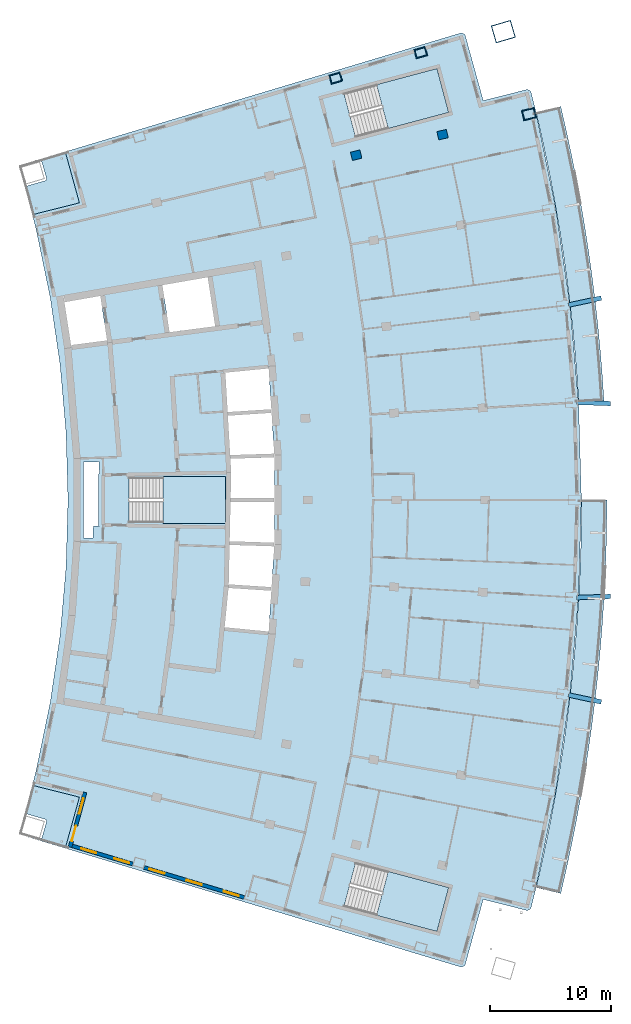
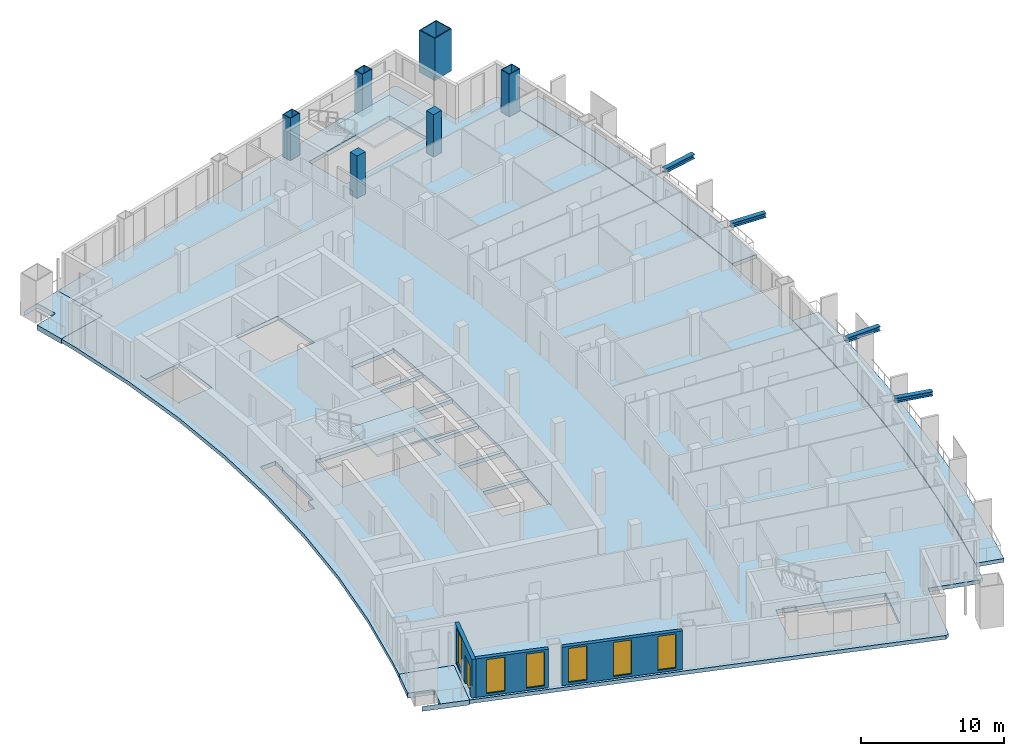
# One storey, part 8 of 17: 8 slabs, 6 columns, 6 windows, 4 members, 3 walls, 1 door, 7 openings, 3 elements without a shape of their own.
"""IFC4 building model written with IfcOpenShell, lengths in metres."""

from ifc_helpers import new_model, si_unit, direction, frame, frame_2d, origin, origin_2d, place, context, subcontext, project, spatial, polyline, rectangle, hollow_rectangle, i_section, outline, extrude, material, layer, layer_set, material_profile, profile_set, type_object, element, fill, aggregate, save


model = new_model("IFC4")

# Units and contexts
model_context = context("Model", 3, precision=1e-05, world=origin(), true_north=direction((0.0, 1.0)))
body_context = subcontext(model_context, "Body", "Model", "MODEL_VIEW")
ifc_project = project(units=[si_unit("LENGTHUNIT", "METRE"), si_unit("AREAUNIT", "SQUARE_METRE"), si_unit("VOLUMEUNIT", "CUBIC_METRE"), si_unit("PLANEANGLEUNIT", "RADIAN"), si_unit("MASSUNIT", "GRAM", prefix="KILO")], contexts=[model_context])

# Site, building, storey
site_placement = place(None, origin())
site = spatial("IfcSite", under=ifc_project, at=site_placement, CompositionType="ELEMENT")
building_placement = place(site_placement, origin())
building = spatial("IfcBuilding", under=site, at=building_placement, Name="Alderwake Tower", CompositionType="ELEMENT")
storey_placement = place(building_placement, frame((0.0, 0.0, 214.39990234375)))
storey = spatial("IfcBuildingStorey", under=building, at=storey_placement, Name="L53", CompositionType="ELEMENT", Elevation=214.39990234375)

# Columns
ifc_material_1 = material(Name="Steel ASTM A572 Grade 50 concrete filled C70/85", Category="concrete")
ifc_material_profile_1 = material_profile(ifc_material_1, hollow_rectangle(XDim=0.75, YDim=0.949951171875, WallThickness=0.054931640625, at=origin_2d()), Name="BOX 950X750X55")
ifc_profile_set_1 = profile_set([ifc_material_profile_1], Name="Steel ASTM A572 Grade 50 concrete filled C70/85")
column_type_1 = type_object("IfcColumnType", Name="End column Z4", PredefinedType="COLUMN", material=ifc_profile_set_1)
for number, where, z_axis, x_axis, name in (
    (1, (38.10400390625, 95.831787109375, 0.0), (0.0, 0.0, 1.0), (-0.28287886882, 0.959155641997, 0.0), "Column R12-C3"),
    (2, (45.127685546875, 97.9404296875, 0.0), (0.0, 0.0, 1.0), (-0.283141682853, 0.959078092457, 0.0), "Column R12-C4"),
):
    element("IfcColumn", number, at=place(storey_placement, frame(where, z_axis=z_axis, x_axis=x_axis)), inside=storey, type_object=column_type_1, Name=name, PredefinedType="COLUMN", context=body_context, shape_type="SweptSolid", body=[
        extrude(hollow_rectangle(XDim=0.75, YDim=0.949951171875, WallThickness=0.054931640625, at=origin_2d()), origin(), (0.0, 0.0, 1.0), 3.60009765625),
    ])
ifc_material_2 = material(Name="Concrete C70/85", Category="concrete")
ifc_material_profile_2 = material_profile(ifc_material_2, rectangle(XDim=0.699951171875, YDim=0.800048828125, at=origin_2d()), Name="RC 800X700")
ifc_profile_set_2 = profile_set([ifc_material_profile_2], Name="Concrete C70/85")
column_type_2 = type_object("IfcColumnType", Name="Interior column Z4", PredefinedType="COLUMN", material=ifc_profile_set_2)
for number, where, z_axis, x_axis, name in (
    (3, (39.79638671875, 89.47119140625, 0.0), (0.0, 0.0, 1.0), (-0.231221547198, 0.972901123502, 0.0), "Column R11-C3"),
    (4, (46.93115234375, 91.166748046875, 0.0), (0.0, 0.0, 1.0), (-0.231221547198, 0.972901123502, 0.0), "Column R11-C4"),
):
    element("IfcColumn", number, at=place(storey_placement, frame(where, z_axis=z_axis, x_axis=x_axis)), inside=storey, type_object=column_type_2, Name=name, PredefinedType="COLUMN", context=body_context, shape_type="SweptSolid", body=[
        extrude(rectangle(XDim=0.699951171875, YDim=0.800048828125, at=origin_2d()), origin(), (0.0, 0.0, 1.0), 3.60009765625),
    ])
ifc_material_3 = material(Name="Steel ASTM A572 Grade 50 concrete filled C70/85", Category="concrete")
ifc_material_profile_3 = material_profile(ifc_material_3, hollow_rectangle(XDim=1.5, YDim=1.699951171875, WallThickness=0.074951171875, at=origin_2d()), Name="BOX 1700X1500X75")
ifc_profile_set_3 = profile_set([ifc_material_profile_3], Name="Steel ASTM A572 Grade 50 concrete filled C70/85")
column_type_3 = type_object("IfcColumnType", Name="Mega column Z4", PredefinedType="COLUMN", material=ifc_profile_set_3)
column_1_placement = place(storey_placement, frame((51.9482421875, 99.677001953125, 0.0), z_axis=(0.0, 0.0, 1.0), x_axis=(-0.281288140428, 0.959623354267, 0.0)))
element("IfcColumn", 5, at=column_1_placement, inside=storey, type_object=column_type_3, Name="Column R12-C5", PredefinedType="COLUMN", context=body_context, shape_type="SweptSolid", body=[
    extrude(hollow_rectangle(XDim=1.5, YDim=1.699951171875, WallThickness=0.074951171875, at=origin_2d()), origin(), (0.0, 0.0, 1.0), 3.60009765625),
])
ifc_material_4 = material(Name="Steel ASTM A572 Grade 50 concrete filled C70/85", Category="concrete")
ifc_material_profile_4 = material_profile(ifc_material_4, hollow_rectangle(XDim=0.85009765625, YDim=1.050048828125, WallThickness=0.054931640625, at=origin_2d()), Name="BOX 1050X850X55")
ifc_profile_set_4 = profile_set([ifc_material_profile_4], Name="Steel ASTM A572 Grade 50 concrete filled C70/85")
column_type_4 = type_object("IfcColumnType", Name="Perimeter column Z4", PredefinedType="COLUMN", material=ifc_profile_set_4)
column_2_placement = place(storey_placement, frame((54.06591796875, 92.8623046875, 0.0), z_axis=(0.0, 0.0, 1.0), x_axis=(-0.231221547198, 0.972901123502, 0.0)))
element("IfcColumn", 6, at=column_2_placement, inside=storey, type_object=column_type_4, Name="Column R11-C5", PredefinedType="COLUMN", context=body_context, shape_type="SweptSolid", body=[
    extrude(hollow_rectangle(XDim=0.85009765625, YDim=1.050048828125, WallThickness=0.054931640625, at=origin_2d()), origin(), (0.0, 0.0, 1.0), 3.60009765625),
])

# Members
ifc_material_5 = material(Name="Steel ASTM A992 Grade 50", Category="steel")
ifc_material_profile_5 = material_profile(ifc_material_5, i_section(OverallWidth=0.3740234375, OverallDepth=0.372314453125, WebThickness=0.016357421875, FlangeThickness=0.026123046875, at=origin_2d()), Name="W14X132")
ifc_profile_set_5 = profile_set([ifc_material_profile_5], Name="Steel ASTM A992 Grade 50")
member_type = type_object("IfcMemberType", Name="Brace node stub W14X132", PredefinedType="MEMBER", material=ifc_profile_set_5)
member_1_placement = place(storey_placement, frame((57.334716796875, 44.90087890625, 3.393798828125), z_axis=(0.978053854556, -0.208352244019, 0.0), x_axis=(0.208352244019, 0.978053854556, 0.0)))
element("IfcMember", 7, at=member_1_placement, inside=storey, type_object=member_type, Name="Brace node stub BS.FR05-C5.2180", PredefinedType="MEMBER", context=body_context, shape_type="SweptSolid", body=[
    extrude(i_section(OverallWidth=0.3740234375, OverallDepth=0.372314453125, WebThickness=0.016357421875, FlangeThickness=0.026123046875, at=origin_2d()), origin(), (0.0, 0.0, 1.0), 2.762939453125),
])
for number, where, z_axis, x_axis, name in (
    (8, (58.0400390625, 52.942138671875, 3.393798828125), (0.999393870466, 0.034812234547, 0.0), (-0.034812234547, 0.999393870466, 0.0), "Brace node stub BS.FR06-C5.2180"),
    (9, (58.0400390625, 69.057861328125, 3.393798828125), (0.999393870466, -0.034812234547, 0.0), (0.034812234547, 0.999393870466, 0.0), "Brace node stub BS.FR08-C5.2180"),
):
    element("IfcMember", number, at=place(storey_placement, frame(where, z_axis=z_axis, x_axis=x_axis)), inside=storey, type_object=member_type, Name=name, PredefinedType="MEMBER", context=body_context, shape_type="SweptSolid", body=[
        extrude(i_section(OverallWidth=0.3740234375, OverallDepth=0.372314453125, WebThickness=0.016357421875, FlangeThickness=0.026123046875, at=origin_2d()), origin(), (0.0, 0.0, 1.0), 2.76318359375),
    ])
member_2_placement = place(storey_placement, frame((57.334716796875, 77.09912109375, 3.393798828125), z_axis=(0.978053854556, 0.208352244019, 0.0), x_axis=(-0.208352244019, 0.978053854556, 0.0)))
element("IfcMember", 10, at=member_2_placement, inside=storey, type_object=member_type, Name="Brace node stub BS.FR09-C5.2180", PredefinedType="MEMBER", context=body_context, shape_type="SweptSolid", body=[
    extrude(i_section(OverallWidth=0.3740234375, OverallDepth=0.372314453125, WebThickness=0.016357421875, FlangeThickness=0.026123046875, at=origin_2d()), origin(), (0.0, 0.0, 1.0), 2.762939453125),
])

# Slabs
ifc_material_6 = material(Name="Concrete C50/60", Category="concrete")
ifc_layer_1 = layer(ifc_material_6, 0.320068359375)
ifc_layer_set_1 = layer_set([ifc_layer_1], Name="Balcony slab 320")
slab_type_1 = type_object("IfcSlabType", Name="Balcony slab 320", PredefinedType="FLOOR", material=ifc_layer_set_1)
slab_1_placement = place(storey_placement, frame((0.0, 0.0, -0.31982421875)))
element("IfcSlab", 11, at=slab_1_placement, inside=storey, type_object=slab_type_1, Name="Balcony BF03", PredefinedType="FLOOR", context=body_context, shape_type="SweptSolid", body=[
    extrude(outline(polyline([(57.15185546875, 30.51025390625), (57.581787109375, 32.513427734375), (57.982666015625, 34.522705078125), (58.35400390625, 36.537841796875), (58.696044921875, 38.55810546875), (59.008544921875, 40.5830078125), (59.29150390625, 42.6123046875), (59.544921875, 44.6455078125), (59.7685546875, 46.68212890625), (59.96240234375, 48.721923828125), (60.126708984375, 50.764404296875), (60.260986328125, 52.808837890625), (60.365478515625, 54.85498046875), (60.440185546875, 56.902587890625), (60.485107421875, 58.951171875), (60.5, 61.0), (58.39990234375, 61.0), (58.38525390625, 58.981689453125), (58.341064453125, 56.9638671875), (58.267578125, 54.947021484375), (58.16455078125, 52.93115234375), (58.0322265625, 50.917236328125), (57.87060546875, 48.905517578125), (57.679443359375, 46.896240234375), (57.459228515625, 44.889892578125), (57.209716796875, 42.88720703125), (56.930908203125, 40.88818359375), (56.623046875, 38.893310546875), (56.2861328125, 36.9033203125), (55.92041015625, 34.918701171875), (55.525390625, 32.939208984375), (55.101806640625, 30.9658203125), (54.6494140625, 28.998779296875), (56.692626953125, 28.51318359375), (57.15185546875, 30.51025390625)])), origin(), (0.0, 0.0, 1.0), 0.31982421875),
])
slab_2_placement = place(storey_placement, frame((0.0, 0.0, -0.31982421875)))
element("IfcSlab", 12, at=slab_2_placement, inside=storey, type_object=slab_type_1, Name="Balcony BF08", PredefinedType="FLOOR", context=body_context, shape_type="SweptSolid", body=[
    extrude(outline(polyline([(59.96240234375, 73.278076171875), (59.7685546875, 75.31787109375), (59.544921875, 77.3544921875), (59.29150390625, 79.3876953125), (59.008544921875, 81.4169921875), (58.696044921875, 83.44189453125), (58.35400390625, 85.462158203125), (57.982666015625, 87.477294921875), (57.581787109375, 89.486572265625), (57.15185546875, 91.48974609375), (56.692626953125, 93.48681640625), (54.6494140625, 93.001220703125), (55.101806640625, 91.0341796875), (55.525390625, 89.060791015625), (55.92041015625, 87.081298828125), (56.2861328125, 85.0966796875), (56.623046875, 83.106689453125), (56.930908203125, 81.11181640625), (57.209716796875, 79.11279296875), (57.459228515625, 77.110107421875), (57.679443359375, 75.103759765625), (57.87060546875, 73.094482421875), (58.0322265625, 71.082763671875), (58.16455078125, 69.06884765625), (60.260986328125, 69.191162109375), (60.126708984375, 71.235595703125), (59.96240234375, 73.278076171875)])), origin(), (0.0, 0.0, 1.0), 0.31982421875),
])
ifc_material_7 = material(Name="Concrete C50/60", Category="concrete")
ifc_layer_2 = layer(ifc_material_7, 0.320068359375)
ifc_layer_set_2 = layer_set([ifc_layer_2], Name="Concrete C50/60 post-tensioned flat plate 320")
slab_type_2 = type_object("IfcSlabType", Name="Concrete C50/60 post-tensioned flat plate 320", PredefinedType="FLOOR", material=ifc_layer_set_2)
slab_3_placement = place(storey_placement, frame((0.0, 0.0, -0.31982421875)))
element("IfcSlab", 13, at=slab_3_placement, inside=storey, type_object=slab_type_2, Name="Floor slab L53", PredefinedType="FLOOR", context=body_context, shape_type="SweptSolid", body=[
    extrude(outline(polyline([(13.06494140625, 37.443115234375), (13.3984375, 38.802734375), (14.53369140625, 44.28564453125), (15.347412109375, 49.825439453125), (15.836669921875, 55.4033203125), (16.0, 61.0), (15.836669921875, 66.5966796875), (15.347412109375, 72.174560546875), (14.53369140625, 77.71435546875), (13.3984375, 83.197265625), (13.06494140625, 84.556884765625), (16.942626953125, 85.53857421875), (15.776611328125, 89.7548828125), (48.50341796875, 99.58056640625), (48.784912109375, 99.4248046875), (50.290771484375, 93.979736328125), (53.945556640625, 94.90478515625), (54.223388671875, 94.73779296875), (54.6494140625, 93.001220703125), (56.2861328125, 85.0966796875), (57.459228515625, 77.110107421875), (58.16455078125, 69.06884765625), (58.39990234375, 61.0), (58.16455078125, 52.93115234375), (57.459228515625, 44.889892578125), (56.2861328125, 36.9033203125), (54.6494140625, 28.998779296875), (54.223388671875, 27.26220703125), (53.945556640625, 27.09521484375), (50.290771484375, 28.020263671875), (48.784912109375, 22.5751953125), (48.50341796875, 22.41943359375), (15.776611328125, 32.2451171875), (16.942626953125, 36.46142578125), (13.06494140625, 37.443115234375)]), holes=[polyline([(29.2578125, 53.77197265625), (28.9365234375, 50.4912109375), (32.546875, 50.1376953125), (32.5322265625, 49.988525390625), (32.562255859375, 49.985595703125), (32.80126953125, 53.654541015625), (33.0400390625, 57.323486328125), (33.0400390625, 61.0), (33.0400390625, 64.676513671875), (32.80126953125, 68.345458984375), (32.562255859375, 72.014404296875), (32.532470703125, 72.011474609375), (32.547119140625, 71.8623046875), (28.886962890625, 71.50390625), (28.88720703125, 71.50048828125), (28.99462890625, 71.506591796875), (29.184814453125, 68.26025390625), (32.761474609375, 68.4931640625), (32.771240234375, 68.343505859375), (32.781005859375, 68.19384765625), (29.2021484375, 67.960693359375), (29.392578125, 64.7080078125), (33.005126953125, 64.82568359375), (33.010009765625, 64.67578125), (33.014892578125, 64.525634765625), (29.41015625, 64.408447265625), (29.4765625, 63.27685546875), (29.429443359375, 61.14990234375), (33.010009765625, 61.14990234375), (33.010009765625, 61.0), (33.010009765625, 60.85009765625), (29.4228515625, 60.85009765625), (29.350830078125, 57.593505859375), (33.014892578125, 57.474365234375), (33.010009765625, 57.32421875), (33.005126953125, 57.17431640625), (29.34423828125, 57.29345703125), (29.2705078125, 53.969482421875), (29.274169921875, 53.969482421875), (29.2783203125, 54.0341796875), (32.781005859375, 53.80615234375), (32.771240234375, 53.656494140625), (32.761474609375, 53.5068359375), (29.2587890625, 53.73486328125), (29.26123046875, 53.771728515625), (29.2578125, 53.77197265625)]), polyline([(21.050048828125, 62.875), (21.050048828125, 59.125), (29.0, 59.125), (29.0, 62.875), (21.050048828125, 62.875)]), polyline([(15.64111328125, 77.91015625), (15.487060546875, 77.8828125), (15.487548828125, 77.879150390625), (15.617919921875, 77.899169921875), (16.280029296875, 73.5927734375), (16.31005859375, 73.5966796875), (16.2841796875, 73.794921875), (19.224853515625, 74.1796875), (18.673095703125, 77.842041015625), (18.869140625, 77.87158203125), (18.8671875, 77.8837890625), (15.740234375, 77.340087890625), (15.64111328125, 77.91015625)]), polyline([(27.538330078125, 79.39111328125), (23.794921875, 78.740478515625), (24.384033203125, 74.8583984375), (24.36865234375, 74.856201171875), (24.369140625, 74.8525390625), (28.152587890625, 75.347412109375), (27.538330078125, 79.39111328125)]), polyline([(47.436279296875, 28.996826171875), (39.754150390625, 31.043212890625), (38.7890625, 27.41943359375), (46.47119140625, 25.373291015625), (47.436279296875, 28.996826171875)]), polyline([(46.47119140625, 96.626708984375), (38.7890625, 94.58056640625), (39.754150390625, 90.956787109375), (47.436279296875, 93.003173828125), (46.47119140625, 96.626708984375)]), polyline([(17.289306640625, 64.118408203125), (17.289306640625, 57.881591796875), (18.06298828125, 57.85400390625), (18.090576171875, 58.84375), (18.544189453125, 58.831298828125), (18.529296875, 58.8681640625), (18.5234375, 58.891845703125), (18.5185546875, 58.940673828125), (18.5185546875, 63.060302734375), (18.5234375, 63.109130859375), (18.53759765625, 63.156005859375), (18.560791015625, 63.19921875), (18.588623046875, 63.2333984375), (18.562744140625, 64.16357421875), (17.289306640625, 64.118408203125)])]), origin(), (0.0, 0.0, 1.0), 0.31982421875),
])

# Stair, slab
ifc_material_8 = material(Name="Concrete C40/50", Category="concrete")
stair_type = type_object("IfcStairType", Name="Core exit stair", PredefinedType="HALF_TURN_STAIR", material=ifc_material_8)
stair_1_placement = place(storey_placement, origin())
stair_1 = element("IfcStair", 14, at=stair_1_placement, inside=storey, type_object=stair_type, Name="L53 Exit Stair B", PredefinedType="HALF_TURN_STAIR")
ifc_material_9 = material(Name="Concrete C40/50", Category="concrete")
ifc_layer_3 = layer(ifc_material_9, 0.199951171875)
ifc_layer_set_3 = layer_set([ifc_layer_3], Name="Core stair landing 200")
slab_type_3 = type_object("IfcSlabType", Name="Core stair landing 200", PredefinedType="LANDING", material=ifc_layer_set_3)
slab_4_placement = place(storey_placement, frame((0.0, 0.0, 1.60009765625)))
slab_4 = element("IfcSlab", 15, at=slab_4_placement, type_object=slab_type_3, Name="ST-B landing 1", PredefinedType="LANDING", context=body_context, shape_type="SweptSolid", body=[
    extrude(outline(polyline([(23.830078125, 59.074951171875), (29.0, 59.074951171875), (29.0, 62.925048828125), (23.830078125, 62.925048828125), (23.830078125, 59.074951171875)])), origin(), (0.0, 0.0, 1.0), 0.199951171875),
])
aggregate(stair_1, [slab_4])

stair_2_placement = place(storey_placement, origin())
stair_2 = element("IfcStair", 16, at=stair_2_placement, inside=storey, type_object=stair_type, Name="L53 Exit Stair A", PredefinedType="HALF_TURN_STAIR")
slab_5_placement = place(storey_placement, frame((0.0, 0.0, 1.60009765625)))
slab_5 = element("IfcSlab", 17, at=slab_5_placement, type_object=slab_type_3, Name="ST-A landing 1", PredefinedType="LANDING", context=body_context, shape_type="SweptSolid", body=[
    extrude(outline(polyline([(42.440673828125, 91.67236328125), (47.436279296875, 93.003173828125), (46.47119140625, 96.626708984375), (41.475341796875, 95.296142578125), (42.440673828125, 91.67236328125)])), origin(), (0.0, 0.0, 1.0), 0.199951171875),
])
aggregate(stair_2, [slab_5])

stair_3_placement = place(storey_placement, origin())
stair_3 = element("IfcStair", 18, at=stair_3_placement, inside=storey, type_object=stair_type, Name="L53 Exit Stair C", PredefinedType="HALF_TURN_STAIR")
slab_6_placement = place(storey_placement, frame((0.0, 0.0, 1.60009765625)))
slab_6 = element("IfcSlab", 19, at=slab_6_placement, type_object=slab_type_3, Name="ST-C landing 1", PredefinedType="LANDING", context=body_context, shape_type="SweptSolid", body=[
    extrude(outline(polyline([(41.475341796875, 26.703857421875), (46.47119140625, 25.373291015625), (47.436279296875, 28.996826171875), (42.4404296875, 30.32763671875), (41.475341796875, 26.703857421875)])), origin(), (0.0, 0.0, 1.0), 0.199951171875),
])
aggregate(stair_3, [slab_6])

# Slabs
ifc_material_10 = material(Name="Concrete C50/60", Category="concrete")
ifc_layer_4 = layer(ifc_material_10, 0.419921875)
ifc_layer_set_4 = layer_set([ifc_layer_4], Name="Terrace slab 420")
slab_type_4 = type_object("IfcSlabType", Name="Terrace slab 420", PredefinedType="FLOOR", material=ifc_layer_set_4)
slab_7_placement = place(storey_placement, frame((0.0, 0.0, -0.419921875)))
element("IfcSlab", 20, at=slab_7_placement, inside=storey, type_object=slab_type_4, Name="Corner terrace RS", PredefinedType="FLOOR", context=body_context, shape_type="SweptSolid", body=[
    extrude(outline(polyline([(15.776611328125, 32.2451171875), (12.517333984375, 33.2236328125), (13.628662109375, 32.901123046875), (13.64306640625, 32.897705078125), (13.65771484375, 32.895751953125), (13.67236328125, 32.895263671875), (13.68701171875, 32.896240234375), (13.701416015625, 32.8984375), (13.7158203125, 32.90234375), (13.7294921875, 32.907470703125), (13.742919921875, 32.913818359375), (13.75537109375, 32.921630859375), (13.76708984375, 32.930419921875), (13.77783203125, 32.9404296875), (13.78759765625, 32.951416015625), (13.796142578125, 32.96337890625), (13.8037109375, 32.976318359375), (13.809814453125, 32.989501953125), (13.814453125, 33.00341796875), (14.232421875, 34.444091796875), (14.23583984375, 34.45849609375), (14.23779296875, 34.472900390625), (14.23828125, 34.48779296875), (14.237548828125, 34.50244140625), (14.235107421875, 34.516845703125), (14.2314453125, 34.53125), (14.226318359375, 34.544921875), (14.2197265625, 34.55810546875), (14.212158203125, 34.57080078125), (14.203125, 34.58251953125), (14.193115234375, 34.59326171875), (14.18212890625, 34.60302734375), (14.170166015625, 34.611572265625), (14.157470703125, 34.618896484375), (14.14404296875, 34.625244140625), (14.130126953125, 34.6298828125), (12.49755859375, 35.103515625), (12.483154296875, 35.10693359375), (12.468505859375, 35.10888671875), (12.453857421875, 35.109619140625), (12.4404296875, 35.108642578125), (12.71142578125, 36.08837890625), (13.06494140625, 37.443115234375), (16.942626953125, 36.46142578125), (15.776611328125, 32.2451171875)])), origin(), (0.0, 0.0, 1.0), 0.419921875),
])
slab_8_placement = place(storey_placement, frame((0.0, 0.0, -0.419921875)))
element("IfcSlab", 21, at=slab_8_placement, inside=storey, type_object=slab_type_4, Name="Corner terrace RN", PredefinedType="FLOOR", context=body_context, shape_type="SweptSolid", body=[
    extrude(outline(polyline([(12.4404296875, 86.891357421875), (12.453857421875, 86.890380859375), (12.468505859375, 86.89111328125), (12.483154296875, 86.89306640625), (12.49755859375, 86.896484375), (14.130126953125, 87.3701171875), (14.14404296875, 87.374755859375), (14.157470703125, 87.381103515625), (14.170166015625, 87.388427734375), (14.18212890625, 87.39697265625), (14.193115234375, 87.40673828125), (14.203125, 87.41748046875), (14.212158203125, 87.42919921875), (14.2197265625, 87.44189453125), (14.226318359375, 87.455078125), (14.2314453125, 87.46875), (14.235107421875, 87.483154296875), (14.237548828125, 87.49755859375), (14.23828125, 87.51220703125), (14.23779296875, 87.527099609375), (14.23583984375, 87.54150390625), (14.232421875, 87.555908203125), (13.814453125, 88.99658203125), (13.809814453125, 89.010498046875), (13.8037109375, 89.023681640625), (13.796142578125, 89.03662109375), (13.78759765625, 89.048583984375), (13.77783203125, 89.0595703125), (13.76708984375, 89.069580078125), (13.75537109375, 89.078369140625), (13.742919921875, 89.086181640625), (13.7294921875, 89.092529296875), (13.7158203125, 89.09765625), (13.701416015625, 89.1015625), (13.68701171875, 89.103759765625), (13.67236328125, 89.104736328125), (13.65771484375, 89.104248046875), (13.64306640625, 89.102294921875), (13.628662109375, 89.098876953125), (12.517333984375, 88.7763671875), (15.776611328125, 89.7548828125), (16.942626953125, 85.53857421875), (13.06494140625, 84.556884765625), (12.71142578125, 85.91162109375), (12.4404296875, 86.891357421875)])), origin(), (0.0, 0.0, 1.0), 0.419921875),
])

# Wall, openings, door, window
ifc_material_11 = material(Name="Bronze metal cladding on lightweight framing")
ifc_layer_5 = layer(ifc_material_11, 0.300048828125)
ifc_layer_set_5 = layer_set([ifc_layer_5], Name="External wall EW2 bronze metal cladding")
wall_type = type_object("IfcWallType", Name="External wall EW2 bronze metal cladding", PredefinedType="SOLIDWALL", material=ifc_layer_set_5)
wall_1_placement = place(storey_placement, frame((17.410400390625, 36.85888671875, 0.0), z_axis=(0.0, 0.0, 1.0), x_axis=(-0.264592640785, -0.96436027212, 0.0)))
wall_1 = element("IfcWall", 22, at=wall_1_placement, inside=storey, type_object=wall_type, Name="External wall 3", PredefinedType="SOLIDWALL", context=body_context, shape_type="SweptSolid", body=[
    extrude(rectangle(XDim=4.690185546875, YDim=0.300048828125, at=frame_2d((2.34521484375, 0.0))), origin(), (0.0, 0.0, 1.0), 3.280029296875),
])
opening_1_placement = place(wall_1_placement, frame((0.5224609375, 0.0, 0.199951171875)))
opening_1 = element("IfcOpeningElement", 23, at=opening_1_placement, cuts=wall_1, Name="Opening W1", PredefinedType="OPENING", context=body_context, shape_type="SweptSolid", body=[
    extrude(rectangle(XDim=1.300048828125, YDim=2.89990234375, at=frame_2d((0.64990234375, 1.449951171875))), frame((0.0, 0.159912109375, 0.0), z_axis=(0.0, -1.0, 0.0), x_axis=(1.0, 0.0, 0.0)), (0.0, 0.0, 1.0), 0.320068359375),
])
opening_2_placement = place(wall_1_placement, frame((2.867431640625, 0.0, 0.0)))
opening_2 = element("IfcOpeningElement", 24, at=opening_2_placement, cuts=wall_1, Name="Opening D01", PredefinedType="OPENING", context=body_context, shape_type="SweptSolid", body=[
    extrude(rectangle(XDim=1.300048828125, YDim=2.39990234375, at=frame_2d((0.64990234375, 1.199951171875))), frame((0.0, 0.159912109375, 0.0), z_axis=(0.0, -1.0, 0.0), x_axis=(1.0, 0.0, 0.0)), (0.0, 0.0, 1.0), 0.320068359375),
])
ifc_material_12 = material(Name="Bronze tinted glass in aluminium frame", Category="aluminium")
door_type = type_object("IfcDoorType", Name="Balcony door BD sliding", OperationType="SLIDING_TO_LEFT", PredefinedType="DOOR", material=ifc_material_12)
door_placement = place(opening_2_placement, origin())
door = element("IfcDoor", 25, at=door_placement, inside=storey, type_object=door_type, Name="Door D01", OperationType="SLIDING_TO_LEFT", OverallHeight=2.39990234375, OverallWidth=1.300048828125, PredefinedType="DOOR", context=body_context, shape_type="SweptSolid", body=[
    extrude(rectangle(XDim=1.300048828125, YDim=2.39990234375, at=frame_2d((0.64990234375, 1.199951171875))), frame((0.0, 0.02490234375, 0.0), z_axis=(0.0, -1.0, 0.0), x_axis=(1.0, 0.0, 0.0)), (0.0, 0.0, 1.0), 0.050048828125),
])
fill(opening_2, door)
ifc_material_13 = material(Name="Bronze tinted glass in aluminium frame", Category="aluminium")
window_type = type_object("IfcWindowType", Name="Window W1 tall fixed and vent", PartitioningType="DOUBLE_PANEL_VERTICAL", PredefinedType="WINDOW", material=ifc_material_13)
window_1_placement = place(opening_1_placement, origin())
window_1 = element("IfcWindow", 26, at=window_1_placement, inside=storey, type_object=window_type, Name="Window W1 tall fixed and vent", OverallHeight=2.89990234375, OverallWidth=1.300048828125, PartitioningType="DOUBLE_PANEL_VERTICAL", PredefinedType="WINDOW", context=body_context, shape_type="SweptSolid", body=[
    extrude(rectangle(XDim=1.300048828125, YDim=2.89990234375, at=frame_2d((0.64990234375, 1.449951171875))), frame((0.0, 0.030029296875, 0.0), z_axis=(0.0, -1.0, 0.0), x_axis=(1.0, 0.0, 0.0)), (0.0, 0.0, 1.0), 0.06005859375),
])
fill(opening_1, window_1)

# Wall, openings, windows
wall_2_placement = place(storey_placement, frame((16.352783203125, 32.4375, 0.0), z_axis=(0.0, 0.0, 1.0), x_axis=(0.95777225046, -0.287527939944, 0.0)))
wall_2 = element("IfcWall", 27, at=wall_2_placement, inside=storey, type_object=wall_type, Name="External wall 4", PredefinedType="SOLIDWALL", context=body_context, shape_type="SweptSolid", body=[
    extrude(rectangle(XDim=5.224609375, YDim=0.300048828125, at=frame_2d((2.6123046875, 0.0))), origin(), (0.0, 0.0, 1.0), 3.280029296875),
])
opening_3_placement = place(wall_2_placement, frame((0.775390625, 0.0, 0.199951171875)))
opening_3 = element("IfcOpeningElement", 28, at=opening_3_placement, cuts=wall_2, Name="Opening W1", PredefinedType="OPENING", context=body_context, shape_type="SweptSolid", body=[
    extrude(rectangle(XDim=1.300048828125, YDim=2.89990234375, at=frame_2d((0.64990234375, 1.449951171875))), frame((0.0, 0.159912109375, 0.0), z_axis=(0.0, -1.0, 0.0), x_axis=(1.0, 0.0, 0.0)), (0.0, 0.0, 1.0), 0.320068359375),
])
opening_4_placement = place(wall_2_placement, frame((3.626220703125, 0.0, 0.199951171875)))
opening_4 = element("IfcOpeningElement", 29, at=opening_4_placement, cuts=wall_2, Name="Opening W1", PredefinedType="OPENING", context=body_context, shape_type="SweptSolid", body=[
    extrude(rectangle(XDim=1.300048828125, YDim=2.89990234375, at=frame_2d((0.64990234375, 1.449951171875))), frame((0.0, 0.159912109375, 0.0), z_axis=(0.0, -1.0, 0.0), x_axis=(1.0, 0.0, 0.0)), (0.0, 0.0, 1.0), 0.320068359375),
])
window_2_placement = place(opening_3_placement, origin())
window_2 = element("IfcWindow", 30, at=window_2_placement, inside=storey, type_object=window_type, Name="Window W1 tall fixed and vent", OverallHeight=2.89990234375, OverallWidth=1.300048828125, PartitioningType="DOUBLE_PANEL_VERTICAL", PredefinedType="WINDOW", context=body_context, shape_type="SweptSolid", body=[
    extrude(rectangle(XDim=1.300048828125, YDim=2.89990234375, at=frame_2d((0.64990234375, 1.449951171875))), frame((0.0, 0.030029296875, 0.0), z_axis=(0.0, -1.0, 0.0), x_axis=(1.0, 0.0, 0.0)), (0.0, 0.0, 1.0), 0.06005859375),
])
fill(opening_3, window_2)
window_3_placement = place(opening_4_placement, origin())
window_3 = element("IfcWindow", 31, at=window_3_placement, inside=storey, type_object=window_type, Name="Window W1 tall fixed and vent", OverallHeight=2.89990234375, OverallWidth=1.300048828125, PartitioningType="DOUBLE_PANEL_VERTICAL", PredefinedType="WINDOW", context=body_context, shape_type="SweptSolid", body=[
    extrude(rectangle(XDim=1.300048828125, YDim=2.89990234375, at=frame_2d((0.64990234375, 1.449951171875))), frame((0.0, 0.030029296875, 0.0), z_axis=(0.0, -1.0, 0.0), x_axis=(1.0, 0.0, 0.0)), (0.0, 0.0, 1.0), 0.06005859375),
])
fill(opening_4, window_3)

wall_3_placement = place(storey_placement, frame((22.270751953125, 30.660888671875, 0.0), z_axis=(0.0, 0.0, 1.0), x_axis=(0.957767198916, -0.287544766394, 0.0)))
wall_3 = element("IfcWall", 32, at=wall_3_placement, inside=storey, type_object=wall_type, Name="External wall 5", PredefinedType="SOLIDWALL", context=body_context, shape_type="SweptSolid", body=[
    extrude(rectangle(XDim=8.64599609375, YDim=0.300048828125, at=frame_2d((4.322998046875, 0.0))), origin(), (0.0, 0.0, 1.0), 3.280029296875),
])
opening_5_placement = place(wall_3_placement, frame((0.472900390625, 0.0, 0.199951171875)))
opening_5 = element("IfcOpeningElement", 33, at=opening_5_placement, cuts=wall_3, Name="Opening W1", PredefinedType="OPENING", context=body_context, shape_type="SweptSolid", body=[
    extrude(rectangle(XDim=1.300048828125, YDim=2.89990234375, at=frame_2d((0.64990234375, 1.449951171875))), frame((0.0, 0.159912109375, 0.0), z_axis=(0.0, -1.0, 0.0), x_axis=(1.0, 0.0, 0.0)), (0.0, 0.0, 1.0), 0.320068359375),
])
opening_6_placement = place(wall_3_placement, frame((3.673095703125, 0.0, 0.199951171875)))
opening_6 = element("IfcOpeningElement", 34, at=opening_6_placement, cuts=wall_3, Name="Opening W1", PredefinedType="OPENING", context=body_context, shape_type="SweptSolid", body=[
    extrude(rectangle(XDim=1.300048828125, YDim=2.89990234375, at=frame_2d((0.64990234375, 1.449951171875))), frame((0.0, 0.159912109375, 0.0), z_axis=(0.0, -1.0, 0.0), x_axis=(1.0, 0.0, 0.0)), (0.0, 0.0, 1.0), 0.320068359375),
])
opening_7_placement = place(wall_3_placement, frame((6.873046875, 0.0, 0.199951171875)))
opening_7 = element("IfcOpeningElement", 35, at=opening_7_placement, cuts=wall_3, Name="Opening W1", PredefinedType="OPENING", context=body_context, shape_type="SweptSolid", body=[
    extrude(rectangle(XDim=1.300048828125, YDim=2.89990234375, at=frame_2d((0.64990234375, 1.449951171875))), frame((0.0, 0.159912109375, 0.0), z_axis=(0.0, -1.0, 0.0), x_axis=(1.0, 0.0, 0.0)), (0.0, 0.0, 1.0), 0.320068359375),
])
window_4_placement = place(opening_5_placement, origin())
window_4 = element("IfcWindow", 36, at=window_4_placement, inside=storey, type_object=window_type, Name="Window W1 tall fixed and vent", OverallHeight=2.89990234375, OverallWidth=1.300048828125, PartitioningType="DOUBLE_PANEL_VERTICAL", PredefinedType="WINDOW", context=body_context, shape_type="SweptSolid", body=[
    extrude(rectangle(XDim=1.300048828125, YDim=2.89990234375, at=frame_2d((0.64990234375, 1.449951171875))), frame((0.0, 0.030029296875, 0.0), z_axis=(0.0, -1.0, 0.0), x_axis=(1.0, 0.0, 0.0)), (0.0, 0.0, 1.0), 0.06005859375),
])
fill(opening_5, window_4)
window_5_placement = place(opening_6_placement, origin())
window_5 = element("IfcWindow", 37, at=window_5_placement, inside=storey, type_object=window_type, Name="Window W1 tall fixed and vent", OverallHeight=2.89990234375, OverallWidth=1.300048828125, PartitioningType="DOUBLE_PANEL_VERTICAL", PredefinedType="WINDOW", context=body_context, shape_type="SweptSolid", body=[
    extrude(rectangle(XDim=1.300048828125, YDim=2.89990234375, at=frame_2d((0.64990234375, 1.449951171875))), frame((0.0, 0.030029296875, 0.0), z_axis=(0.0, -1.0, 0.0), x_axis=(1.0, 0.0, 0.0)), (0.0, 0.0, 1.0), 0.06005859375),
])
fill(opening_6, window_5)
window_6_placement = place(opening_7_placement, origin())
window_6 = element("IfcWindow", 38, at=window_6_placement, inside=storey, type_object=window_type, Name="Window W1 tall fixed and vent", OverallHeight=2.89990234375, OverallWidth=1.300048828125, PartitioningType="DOUBLE_PANEL_VERTICAL", PredefinedType="WINDOW", context=body_context, shape_type="SweptSolid", body=[
    extrude(rectangle(XDim=1.300048828125, YDim=2.89990234375, at=frame_2d((0.64990234375, 1.449951171875))), frame((0.0, 0.030029296875, 0.0), z_axis=(0.0, -1.0, 0.0), x_axis=(1.0, 0.0, 0.0)), (0.0, 0.0, 1.0), 0.06005859375),
])
fill(opening_7, window_6)

save(model, "model.ifc")
